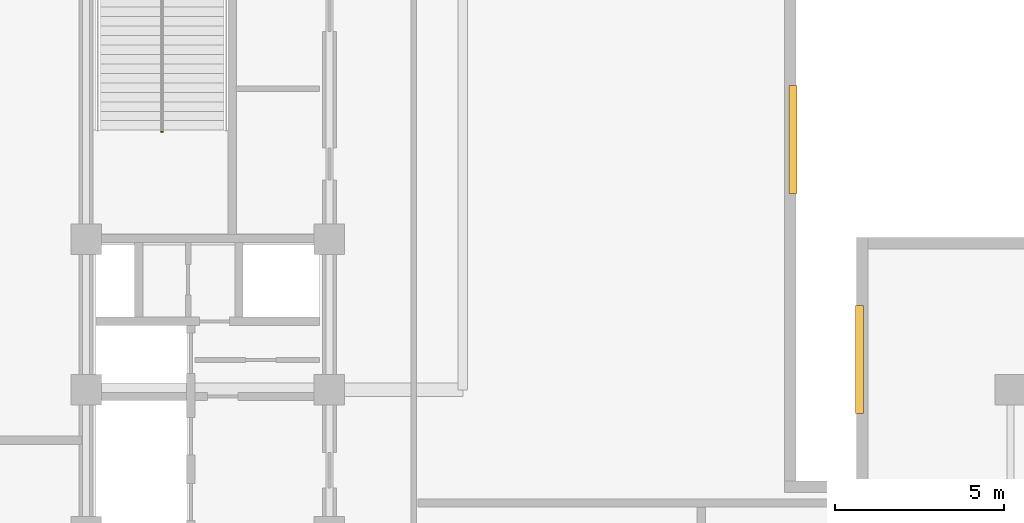
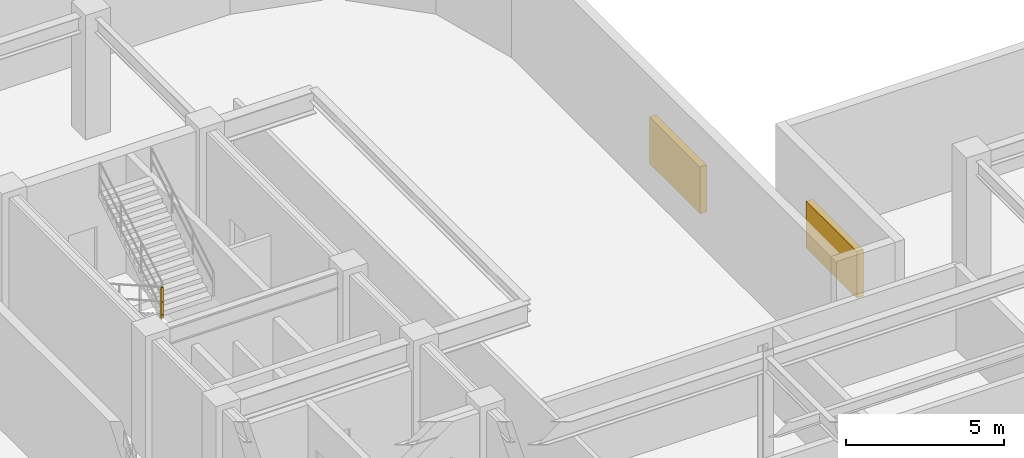
# One storey, part 11 of 13: 2 shading devices, 1 railing.
"""IFC4 building model written with IfcOpenShell, lengths in metres."""

from ifc_helpers import new_model, entity, si_unit, converted_unit, direction, frame, origin_with_axes, origin_2d_with_axis, place, context, subcontext, project, spatial, rectangle, circle, extrude, material, type_object, element, save


model = new_model("IFC4")

# Units and contexts
model_context = context("Model", 3, precision=1e-05, world=origin_with_axes(), true_north=direction((0.0, 1.0)))
body_context = subcontext(model_context, "Body", "Model", "MODEL_VIEW")
ifc_project = project(units=[si_unit("LENGTHUNIT", "METRE"), si_unit("AREAUNIT", "SQUARE_METRE"), si_unit("VOLUMEUNIT", "CUBIC_METRE"), converted_unit("PLANEANGLEUNIT", "DEGREE", entity("IfcPlaneAngleMeasure", 0.017453292519943295), si_unit("PLANEANGLEUNIT", "RADIAN"), dimensions=[0, 0, 0, 0, 0, 0, 0]), si_unit("MASSUNIT", "GRAM", prefix="KILO"), si_unit("THERMODYNAMICTEMPERATUREUNIT", "KELVIN")], contexts=[model_context])

# Site, building, storey
site_placement = place(None, origin_with_axes())
site = spatial("IfcSite", under=ifc_project, at=site_placement, CompositionType="ELEMENT")
building_placement = place(site_placement, origin_with_axes())
building = spatial("IfcBuilding", under=site, at=building_placement, Name="Varnlund Millrace Tower", CompositionType="ELEMENT")
storey_placement = place(building_placement, frame((0.0, 0.0, 248.1), z_axis=(0.0, 0.0, 1.0), x_axis=(1.0, 0.0, 0.0)))
storey = spatial("IfcBuildingStorey", under=building, at=storey_placement, Name="L61", CompositionType="ELEMENT", Elevation=248.1)

# Shading devices
ifc_material_1 = material(Name="Architectural bronze cold-climate intake louvre", Category="aluminium")
shading_device_type = type_object("IfcShadingDeviceType", Name="Type-Shade-CrownLouvre-JAL", PredefinedType="JALOUSIE", material=ifc_material_1)
for number, where, z_axis, x_axis, name in (
    (1, (32.32, 31.7, 1.0), (0.0, 0.0, 1.0), (0.0, 1.0, 0.0), "Type-Shade-CrownLouvre-JAL"),
    (2, (34.28, 25.2, 1.0), (0.0, 0.0, 1.0), (0.0, 1.0, 0.0), "Type-Shade-CrownLouvre-JAL"),
):
    element("IfcShadingDevice", number, at=place(storey_placement, frame(where, z_axis=z_axis, x_axis=x_axis)), inside=storey, type_object=shading_device_type, Name=name, PredefinedType="JALOUSIE", context=body_context, shape_type="SweptSolid", body=[
        extrude(rectangle(XDim=3.2, YDim=0.24, at=origin_2d_with_axis()), origin_with_axes(), (0.0, 0.0, 1.0), 1.8),
    ])

# Railing
ifc_material_2 = material(Name="Painted steel stair well balustrade guard", Category="steel")
railing_type = type_object("IfcRailingType", Name="Type-StairGuard-1150", PredefinedType="GUARDRAIL", material=ifc_material_2)
railing_placement = place(storey_placement, frame((0.0, 0.0, -248.1), z_axis=(0.0, 0.0, 1.0), x_axis=(1.0, 0.0, 0.0)))
element("IfcRailing", 3, at=railing_placement, inside=storey, type_object=railing_type, Name="Type-StairGuard-1150", PredefinedType="GUARDRAIL", context=body_context, shape_type="SweptSolid", body=[
    extrude(circle(Radius=0.024, at=origin_2d_with_axis()), frame((13.675, 31.93, 251.65), z_axis=(-1.0, 0.0, 0.0), x_axis=(0.0, -1.0, 0.0)), (0.0, 0.0, 1.0), 0.05),
    extrude(circle(Radius=0.024, at=origin_2d_with_axis()), frame((13.675, 31.93, 250.6), z_axis=(-1.0, 0.0, 0.0), x_axis=(0.0, -1.0, 0.0)), (0.0, 0.0, 1.0), 0.05),
    extrude(circle(Radius=0.024, at=origin_2d_with_axis()), frame((13.675, 31.93, 251.098), z_axis=(-1.0, 0.0, 0.0), x_axis=(0.0, -1.0, 0.0)), (0.0, 0.0, 1.0), 0.05),
    extrude(rectangle(XDim=0.04, YDim=0.04, at=origin_2d_with_axis()), frame((13.675, 31.93, 250.46), z_axis=(0.0, 0.0, 1.0), x_axis=(1.0, 0.0, 0.0)), (0.0, 0.0, 1.0), 1.19),
    extrude(rectangle(XDim=0.04, YDim=0.04, at=origin_2d_with_axis()), frame((13.625, 31.93, 250.46), z_axis=(0.0, 0.0, 1.0), x_axis=(1.0, 0.0, 0.0)), (0.0, 0.0, 1.0), 1.19),
])

save(model, "model.ifc")
